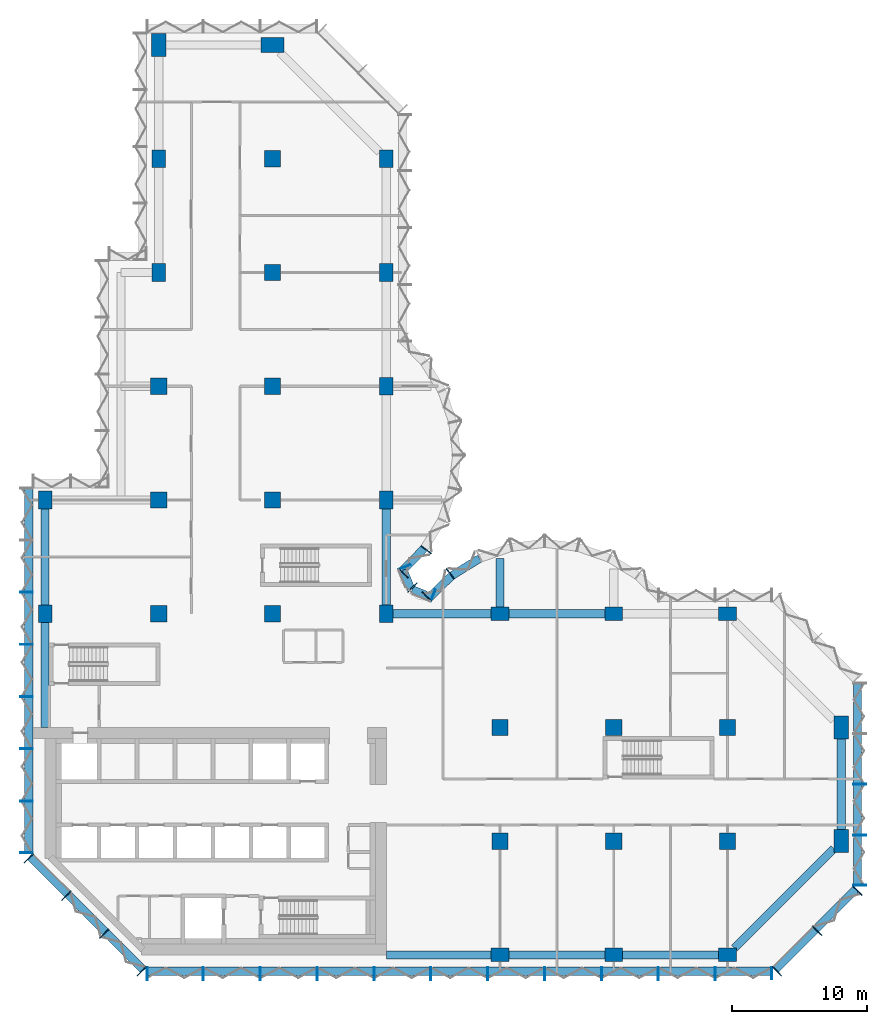
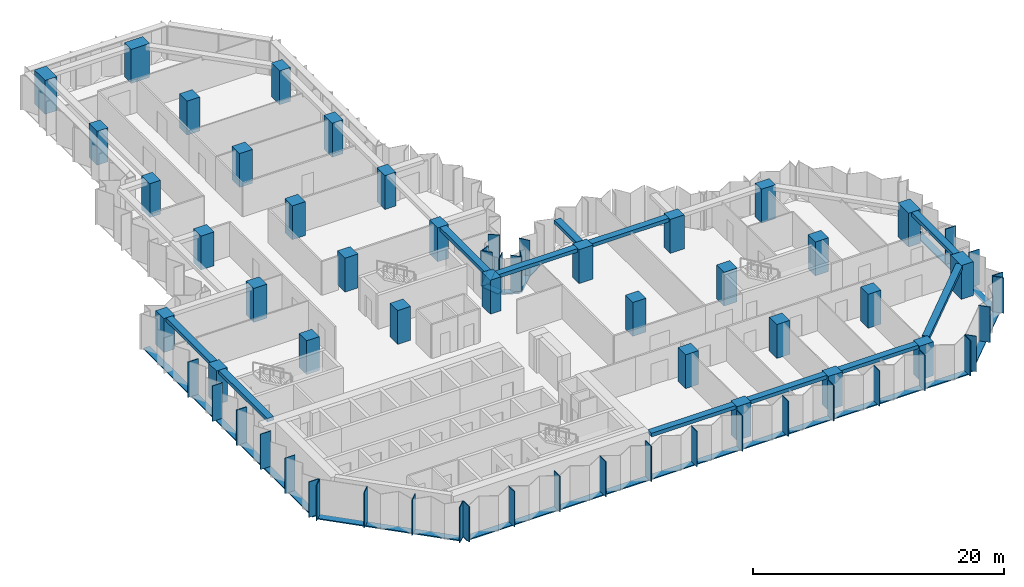
# One storey, part 1 of 11: 45 members, 33 columns, 11 beams, 8 elements without a shape of their own.
"""IFC4 building model written with IfcOpenShell, lengths in metres."""

from ifc_helpers import new_model, si_unit, direction, frame, origin, origin_2d, place, context, subcontext, project, spatial, rectangle, extrude, material, material_profile, profile_set, type_object, element, aggregate, save


model = new_model("IFC4")

# Units and contexts
model_context = context("Model", 3, precision=1e-05, world=origin(), true_north=direction((0.0, 1.0)))
body_context = subcontext(model_context, "Body", "Model", "MODEL_VIEW")
ifc_project = project(units=[si_unit("LENGTHUNIT", "METRE"), si_unit("AREAUNIT", "SQUARE_METRE"), si_unit("VOLUMEUNIT", "CUBIC_METRE"), si_unit("PLANEANGLEUNIT", "RADIAN"), si_unit("MASSUNIT", "GRAM", prefix="KILO")], contexts=[model_context])

# Site, building, storey
site_placement = place(None, origin())
site = spatial("IfcSite", under=ifc_project, at=site_placement, CompositionType="ELEMENT")
building_placement = place(site_placement, origin())
building = spatial("IfcBuilding", under=site, at=building_placement, Name="Brevane Broadcast Tower", CompositionType="ELEMENT")
storey_placement = place(building_placement, frame((0.0, 0.0, 152.89990234375)))
storey = spatial("IfcBuildingStorey", under=building, at=storey_placement, Name="L38", CompositionType="ELEMENT", Elevation=152.89990234375)

# Columns
ifc_material_1 = material(Name="Concrete C60/75", Category="concrete")
ifc_material_profile_1 = material_profile(ifc_material_1, rectangle(XDim=1.0, YDim=1.300048828125, at=origin_2d()), Name="RC 1000x1300")
ifc_profile_set_1 = profile_set([ifc_material_profile_1], Name="Concrete C60/75")
column_type_1 = type_object("IfcColumnType", Name="RC COLUMN EDGE 1000x1300 C60/75", PredefinedType="COLUMN", material=ifc_profile_set_1)
for number, where, z_axis, x_axis, name in (
    (1, (0.0, 25.199951171875, 0.0), (0.0, 0.0, 1.0), (1.0, 0.0, 0.0), "CE8 1/D"),
    (2, (0.0, 33.60009765625, 0.0), (0.0, 0.0, 1.0), (1.0, 0.0, 0.0), "CE8 1/E"),
    (3, (8.39990234375, 50.39990234375, 0.0), (0.0, 0.0, 1.0), (1.0, 0.0, 0.0), "CE8 2/G"),
    (4, (8.39990234375, 58.800048828125, 0.0), (0.0, 0.0, 1.0), (1.0, 0.0, 0.0), "CE8 2/H"),
    (5, (25.199951171875, 25.199951171875, 0.0), (0.0, 0.0, 1.0), (1.0, 0.0, 0.0), "CE8 4/D"),
    (6, (25.199951171875, 33.60009765625, 0.0), (0.0, 0.0, 1.0), (1.0, 0.0, 0.0), "CE8 4/E"),
    (7, (25.199951171875, 42.0, 0.0), (0.0, 0.0, 1.0), (1.0, 0.0, 0.0), "CE8 4/F"),
    (8, (25.199951171875, 50.39990234375, 0.0), (0.0, 0.0, 1.0), (1.0, 0.0, 0.0), "CE8 4/G"),
    (9, (25.199951171875, 58.800048828125, 0.0), (0.0, 0.0, 1.0), (1.0, 0.0, 0.0), "CE8 4/H"),
    (10, (33.60009765625, 0.0, 0.0), (0.0, 0.0, 1.0), (0.0, 1.0, 0.0), "CE8 5/A"),
    (11, (33.60009765625, 25.199951171875, 0.0), (0.0, 0.0, 1.0), (0.0, 1.0, 0.0), "CE8 5/D"),
    (12, (42.0, 0.0, 0.0), (0.0, 0.0, 1.0), (0.0, 1.0, 0.0), "CE8 6/A"),
    (13, (42.0, 25.199951171875, 0.0), (0.0, 0.0, 1.0), (0.0, 1.0, 0.0), "CE8 6/D"),
    (14, (50.39990234375, 0.0, 0.0), (0.0, 0.0, 1.0), (0.0, 1.0, 0.0), "CE8 7/A"),
    (15, (50.39990234375, 25.199951171875, 0.0), (0.0, 0.0, 1.0), (0.0, 1.0, 0.0), "CE8 7/D"),
):
    element("IfcColumn", number, at=place(storey_placement, frame(where, z_axis=z_axis, x_axis=x_axis)), inside=storey, type_object=column_type_1, Name=name, PredefinedType="COLUMN", context=body_context, shape_type="SweptSolid", body=[
        extrude(rectangle(XDim=1.0, YDim=1.300048828125, at=origin_2d()), origin(), (0.0, 0.0, 1.0), 3.300048828125),
    ])
ifc_material_profile_2 = material_profile(ifc_material_1, rectangle(XDim=1.199951171875, YDim=1.199951171875, at=origin_2d()), Name="RC 1200x1200")
ifc_profile_set_2 = profile_set([ifc_material_profile_2], Name="Concrete C60/75")
column_type_2 = type_object("IfcColumnType", Name="RC COLUMN INTERIOR 1200x1200 C60/75", PredefinedType="COLUMN", material=ifc_profile_set_2)
for number, where, z_axis, x_axis, name in (
    (16, (8.39990234375, 25.199951171875, 0.0), (0.0, 0.0, 1.0), (1.0, 0.0, 0.0), "CI9 2/D"),
    (17, (8.39990234375, 33.60009765625, 0.0), (0.0, 0.0, 1.0), (1.0, 0.0, 0.0), "CI9 2/E"),
    (18, (8.39990234375, 42.0, 0.0), (0.0, 0.0, 1.0), (1.0, 0.0, 0.0), "CI9 2/F"),
    (19, (16.800048828125, 25.199951171875, 0.0), (0.0, 0.0, 1.0), (1.0, 0.0, 0.0), "CI9 3/D"),
    (20, (16.800048828125, 33.60009765625, 0.0), (0.0, 0.0, 1.0), (1.0, 0.0, 0.0), "CI9 3/E"),
    (21, (16.800048828125, 42.0, 0.0), (0.0, 0.0, 1.0), (1.0, 0.0, 0.0), "CI9 3/F"),
    (22, (16.800048828125, 50.39990234375, 0.0), (0.0, 0.0, 1.0), (1.0, 0.0, 0.0), "CI9 3/G"),
    (23, (16.800048828125, 58.800048828125, 0.0), (0.0, 0.0, 1.0), (1.0, 0.0, 0.0), "CI9 3/H"),
    (24, (33.60009765625, 8.39990234375, 0.0), (0.0, 0.0, 1.0), (1.0, 0.0, 0.0), "CI9 5/B"),
    (25, (33.60009765625, 16.800048828125, 0.0), (0.0, 0.0, 1.0), (1.0, 0.0, 0.0), "CI9 5/C"),
    (26, (42.0, 8.39990234375, 0.0), (0.0, 0.0, 1.0), (1.0, 0.0, 0.0), "CI9 6/B"),
    (27, (42.0, 16.800048828125, 0.0), (0.0, 0.0, 1.0), (1.0, 0.0, 0.0), "CI9 6/C"),
    (28, (50.39990234375, 8.39990234375, 0.0), (0.0, 0.0, 1.0), (1.0, 0.0, 0.0), "CI9 7/B"),
    (29, (50.39990234375, 16.800048828125, 0.0), (0.0, 0.0, 1.0), (1.0, 0.0, 0.0), "CI9 7/C"),
):
    element("IfcColumn", number, at=place(storey_placement, frame(where, z_axis=z_axis, x_axis=x_axis)), inside=storey, type_object=column_type_2, Name=name, PredefinedType="COLUMN", context=body_context, shape_type="SweptSolid", body=[
        extrude(rectangle(XDim=1.199951171875, YDim=1.199951171875, at=origin_2d()), origin(), (0.0, 0.0, 1.0), 3.300048828125),
    ])
ifc_material_profile_3 = material_profile(ifc_material_1, rectangle(XDim=1.10009765625, YDim=1.699951171875, at=origin_2d()), Name="RC 1100x1700")
ifc_profile_set_3 = profile_set([ifc_material_profile_3], Name="Concrete C60/75")
column_type_3 = type_object("IfcColumnType", Name="RC COLUMN WING-END 1100x1700 C60/75", PredefinedType="COLUMN", material=ifc_profile_set_3)
for number, where, z_axis, x_axis, name in (
    (30, (8.39990234375, 67.199951171875, 0.0), (0.0, 0.0, 1.0), (1.0, 0.0, 0.0), "CW10 2/I"),
    (31, (16.800048828125, 67.199951171875, 0.0), (0.0, 0.0, 1.0), (0.0, 1.0, 0.0), "CW10 3/I"),
    (32, (58.800048828125, 8.39990234375, 0.0), (0.0, 0.0, 1.0), (1.0, 0.0, 0.0), "CW10 8/B"),
    (33, (58.800048828125, 16.800048828125, 0.0), (0.0, 0.0, 1.0), (1.0, 0.0, 0.0), "CW10 8/C"),
):
    element("IfcColumn", number, at=place(storey_placement, frame(where, z_axis=z_axis, x_axis=x_axis)), inside=storey, type_object=column_type_3, Name=name, PredefinedType="COLUMN", context=body_context, shape_type="SweptSolid", body=[
        extrude(rectangle(XDim=1.10009765625, YDim=1.699951171875, at=origin_2d()), origin(), (0.0, 0.0, 1.0), 3.300048828125),
    ])

# Curtain wall, members
ifc_material_2 = material(Name="Aluminium 6063-T6 bronze anodised", Category="aluminium")
curtain_wall_type = type_object("IfcCurtainWallType", Name="CW-1 curtain wall", PredefinedType="NOTDEFINED", material=ifc_material_2)
curtain_wall_1_placement = place(storey_placement, origin())
curtain_wall_1 = element("IfcCurtainWall", 34, at=curtain_wall_1_placement, inside=storey, type_object=curtain_wall_type, Name="CW-1 typical tilted unit L38 south face", PredefinedType="NOTDEFINED")
ifc_material_profile_4 = material_profile(ifc_material_2, rectangle(XDim=0.949951171875, YDim=0.070068359375, at=origin_2d()), Name="RECT 70x950")
ifc_profile_set_4 = profile_set([ifc_material_profile_4], Name="Aluminium 6063-T6 bronze anodised")
member_type_1 = type_object("IfcMemberType", Name="CW-1 mullion 70x950", PredefinedType="MULLION", material=ifc_profile_set_4)
member_1_placement = place(storey_placement, frame((7.534912109375, -1.375, -0.14990234375), z_axis=(0.0, 0.0, 1.0), x_axis=(0.0, 1.0, 0.0)))
member_1 = element("IfcMember", 35, at=member_1_placement, type_object=member_type_1, Name="CW-1 mullion", PredefinedType="MULLION", context=body_context, shape_type="SweptSolid", body=[
    extrude(rectangle(XDim=0.949951171875, YDim=0.070068359375, at=origin_2d()), origin(), (0.0, 0.0, 1.0), 3.449951171875),
])
member_2_placement = place(storey_placement, frame((11.699951171875, -1.375, -0.14990234375), z_axis=(0.0, 0.0, 1.0), x_axis=(0.0, 1.0, 0.0)))
member_2 = element("IfcMember", 36, at=member_2_placement, type_object=member_type_1, Name="CW-1 mullion", PredefinedType="MULLION", context=body_context, shape_type="SweptSolid", body=[
    extrude(rectangle(XDim=0.949951171875, YDim=0.070068359375, at=origin_2d()), origin(), (0.0, 0.0, 1.0), 3.449951171875),
])
member_3_placement = place(storey_placement, frame((15.89990234375, -1.375, -0.14990234375), z_axis=(0.0, 0.0, 1.0), x_axis=(0.0, 1.0, 0.0)))
member_3 = element("IfcMember", 37, at=member_3_placement, type_object=member_type_1, Name="CW-1 mullion", PredefinedType="MULLION", context=body_context, shape_type="SweptSolid", body=[
    extrude(rectangle(XDim=0.949951171875, YDim=0.070068359375, at=origin_2d()), origin(), (0.0, 0.0, 1.0), 3.449951171875),
])
member_4_placement = place(storey_placement, frame((20.10009765625, -1.375, -0.14990234375), z_axis=(0.0, 0.0, 1.0), x_axis=(0.0, 1.0, 0.0)))
member_4 = element("IfcMember", 38, at=member_4_placement, type_object=member_type_1, Name="CW-1 mullion", PredefinedType="MULLION", context=body_context, shape_type="SweptSolid", body=[
    extrude(rectangle(XDim=0.949951171875, YDim=0.070068359375, at=origin_2d()), origin(), (0.0, 0.0, 1.0), 3.449951171875),
])
member_5_placement = place(storey_placement, frame((24.300048828125, -1.375, -0.14990234375), z_axis=(0.0, 0.0, 1.0), x_axis=(0.0, 1.0, 0.0)))
member_5 = element("IfcMember", 39, at=member_5_placement, type_object=member_type_1, Name="CW-1 mullion", PredefinedType="MULLION", context=body_context, shape_type="SweptSolid", body=[
    extrude(rectangle(XDim=0.949951171875, YDim=0.070068359375, at=origin_2d()), origin(), (0.0, 0.0, 1.0), 3.449951171875),
])
member_6_placement = place(storey_placement, frame((28.5, -1.375, -0.14990234375), z_axis=(0.0, 0.0, 1.0), x_axis=(0.0, 1.0, 0.0)))
member_6 = element("IfcMember", 40, at=member_6_placement, type_object=member_type_1, Name="CW-1 mullion", PredefinedType="MULLION", context=body_context, shape_type="SweptSolid", body=[
    extrude(rectangle(XDim=0.949951171875, YDim=0.070068359375, at=origin_2d()), origin(), (0.0, 0.0, 1.0), 3.449951171875),
])
member_7_placement = place(storey_placement, frame((32.699951171875, -1.375, -0.14990234375), z_axis=(0.0, 0.0, 1.0), x_axis=(0.0, 1.0, 0.0)))
member_7 = element("IfcMember", 41, at=member_7_placement, type_object=member_type_1, Name="CW-1 mullion", PredefinedType="MULLION", context=body_context, shape_type="SweptSolid", body=[
    extrude(rectangle(XDim=0.949951171875, YDim=0.070068359375, at=origin_2d()), origin(), (0.0, 0.0, 1.0), 3.449951171875),
])
member_8_placement = place(storey_placement, frame((36.89990234375, -1.375, -0.14990234375), z_axis=(0.0, 0.0, 1.0), x_axis=(0.0, 1.0, 0.0)))
member_8 = element("IfcMember", 42, at=member_8_placement, type_object=member_type_1, Name="CW-1 mullion", PredefinedType="MULLION", context=body_context, shape_type="SweptSolid", body=[
    extrude(rectangle(XDim=0.949951171875, YDim=0.070068359375, at=origin_2d()), origin(), (0.0, 0.0, 1.0), 3.449951171875),
])
member_9_placement = place(storey_placement, frame((41.10009765625, -1.375, -0.14990234375), z_axis=(0.0, 0.0, 1.0), x_axis=(0.0, 1.0, 0.0)))
member_9 = element("IfcMember", 43, at=member_9_placement, type_object=member_type_1, Name="CW-1 mullion", PredefinedType="MULLION", context=body_context, shape_type="SweptSolid", body=[
    extrude(rectangle(XDim=0.949951171875, YDim=0.070068359375, at=origin_2d()), origin(), (0.0, 0.0, 1.0), 3.449951171875),
])
member_10_placement = place(storey_placement, frame((45.300048828125, -1.375, -0.14990234375), z_axis=(0.0, 0.0, 1.0), x_axis=(0.0, 1.0, 0.0)))
member_10 = element("IfcMember", 44, at=member_10_placement, type_object=member_type_1, Name="CW-1 mullion", PredefinedType="MULLION", context=body_context, shape_type="SweptSolid", body=[
    extrude(rectangle(XDim=0.949951171875, YDim=0.070068359375, at=origin_2d()), origin(), (0.0, 0.0, 1.0), 3.449951171875),
])
member_11_placement = place(storey_placement, frame((49.5, -1.375, -0.14990234375), z_axis=(0.0, 0.0, 1.0), x_axis=(0.0, 1.0, 0.0)))
member_11 = element("IfcMember", 45, at=member_11_placement, type_object=member_type_1, Name="CW-1 mullion", PredefinedType="MULLION", context=body_context, shape_type="SweptSolid", body=[
    extrude(rectangle(XDim=0.949951171875, YDim=0.070068359375, at=origin_2d()), origin(), (0.0, 0.0, 1.0), 3.449951171875),
])
member_12_placement = place(storey_placement, frame((53.6650390625, -1.375, -0.14990234375), z_axis=(0.0, 0.0, 1.0), x_axis=(0.0, 1.0, 0.0)))
member_12 = element("IfcMember", 46, at=member_12_placement, type_object=member_type_1, Name="CW-1 mullion", PredefinedType="MULLION", context=body_context, shape_type="SweptSolid", body=[
    extrude(rectangle(XDim=0.949951171875, YDim=0.070068359375, at=origin_2d()), origin(), (0.0, 0.0, 1.0), 3.449951171875),
])

curtain_wall_2_placement = place(storey_placement, origin())
curtain_wall_2 = element("IfcCurtainWall", 47, at=curtain_wall_2_placement, inside=storey, type_object=curtain_wall_type, Name="CW-1 typical tilted unit L38 south-east chamfer", PredefinedType="NOTDEFINED")
member_13_placement = place(storey_placement, frame((54.060546875, -1.211181640625, -0.14990234375), z_axis=(0.0, 0.0, 1.0), x_axis=(-0.707106781187, 0.707106781187, 0.0)))
member_13 = element("IfcMember", 48, at=member_13_placement, type_object=member_type_1, Name="CW-1 mullion", PredefinedType="MULLION", context=body_context, shape_type="SweptSolid", body=[
    extrude(rectangle(XDim=0.949951171875, YDim=0.070068359375, at=origin_2d()), origin(), (0.0, 0.0, 1.0), 3.449951171875),
])
member_14_placement = place(storey_placement, frame((57.035888671875, 1.76416015625, -0.14990234375), z_axis=(0.0, 0.0, 1.0), x_axis=(-0.707106781187, 0.707106781187, 0.0)))
member_14 = element("IfcMember", 49, at=member_14_placement, type_object=member_type_1, Name="CW-1 mullion", PredefinedType="MULLION", context=body_context, shape_type="SweptSolid", body=[
    extrude(rectangle(XDim=0.949951171875, YDim=0.070068359375, at=origin_2d()), origin(), (0.0, 0.0, 1.0), 3.449951171875),
])
member_15_placement = place(storey_placement, frame((60.01123046875, 4.7392578125, -0.14990234375), z_axis=(0.0, 0.0, 1.0), x_axis=(-0.707106781187, 0.707106781187, 0.0)))
member_15 = element("IfcMember", 50, at=member_15_placement, type_object=member_type_1, Name="CW-1 mullion", PredefinedType="MULLION", context=body_context, shape_type="SweptSolid", body=[
    extrude(rectangle(XDim=0.949951171875, YDim=0.070068359375, at=origin_2d()), origin(), (0.0, 0.0, 1.0), 3.449951171875),
])

curtain_wall_3_placement = place(storey_placement, origin())
curtain_wall_3 = element("IfcCurtainWall", 51, at=curtain_wall_3_placement, inside=storey, type_object=curtain_wall_type, Name="CW-1 typical tilted unit L38 east end", PredefinedType="NOTDEFINED")
member_16_placement = place(storey_placement, frame((60.175048828125, 5.135009765625, -0.14990234375), z_axis=(0.0, 0.0, 1.0), x_axis=(-1.0, 0.0, 0.0)))
member_16 = element("IfcMember", 52, at=member_16_placement, type_object=member_type_1, Name="CW-1 mullion", PredefinedType="MULLION", context=body_context, shape_type="SweptSolid", body=[
    extrude(rectangle(XDim=0.949951171875, YDim=0.070068359375, at=origin_2d()), origin(), (0.0, 0.0, 1.0), 3.449951171875),
])
member_17_placement = place(storey_placement, frame((60.175048828125, 8.85009765625, -0.14990234375), z_axis=(0.0, 0.0, 1.0), x_axis=(-1.0, 0.0, 0.0)))
member_17 = element("IfcMember", 53, at=member_17_placement, type_object=member_type_1, Name="CW-1 mullion", PredefinedType="MULLION", context=body_context, shape_type="SweptSolid", body=[
    extrude(rectangle(XDim=0.949951171875, YDim=0.070068359375, at=origin_2d()), origin(), (0.0, 0.0, 1.0), 3.449951171875),
])
member_18_placement = place(storey_placement, frame((60.175048828125, 12.60009765625, -0.14990234375), z_axis=(0.0, 0.0, 1.0), x_axis=(-1.0, 0.0, 0.0)))
member_18 = element("IfcMember", 54, at=member_18_placement, type_object=member_type_1, Name="CW-1 mullion", PredefinedType="MULLION", context=body_context, shape_type="SweptSolid", body=[
    extrude(rectangle(XDim=0.949951171875, YDim=0.070068359375, at=origin_2d()), origin(), (0.0, 0.0, 1.0), 3.449951171875),
])

curtain_wall_4_placement = place(storey_placement, origin())
curtain_wall_4 = element("IfcCurtainWall", 55, at=curtain_wall_4_placement, inside=storey, type_object=curtain_wall_type, Name="CW-1 typical tilted unit L38 east bow", PredefinedType="NOTDEFINED")
member_19_placement = place(storey_placement, frame((29.927978515625, 28.1455078125, -0.14990234375), z_axis=(0.0, 0.0, 1.0), x_axis=(0.614769738617, -0.788706642853, 0.0)))
member_19 = element("IfcMember", 56, at=member_19_placement, type_object=member_type_1, Name="CW-1 mullion", PredefinedType="MULLION", context=body_context, shape_type="SweptSolid", body=[
    extrude(rectangle(XDim=0.949951171875, YDim=0.070068359375, at=origin_2d()), origin(), (0.0, 0.0, 1.0), 3.449951171875),
])
member_20_placement = place(storey_placement, frame((28.194091796875, 26.465087890625, -0.14990234375), z_axis=(0.0, 0.0, 1.0), x_axis=(0.696811941702, -0.717253872699, 0.0)))
member_20 = element("IfcMember", 57, at=member_20_placement, type_object=member_type_1, Name="CW-1 mullion", PredefinedType="MULLION", context=body_context, shape_type="SweptSolid", body=[
    extrude(rectangle(XDim=0.949951171875, YDim=0.070068359375, at=origin_2d()), origin(), (0.0, 0.0, 1.0), 3.449951171875),
])

curtain_wall_5_placement = place(storey_placement, origin())
curtain_wall_5 = element("IfcCurtainWall", 58, at=curtain_wall_5_placement, inside=storey, type_object=curtain_wall_type, Name="CW-1 typical tilted unit L38 inner corner", PredefinedType="NOTDEFINED")
member_21_placement = place(storey_placement, frame((28.6494140625, 26.55224609375, -0.14990234375), z_axis=(0.0, 0.0, 1.0), x_axis=(-0.382683612978, -0.923879457699, 0.0)))
member_21 = element("IfcMember", 59, at=member_21_placement, type_object=member_type_1, Name="CW-1 mullion", PredefinedType="MULLION", context=body_context, shape_type="SweptSolid", body=[
    extrude(rectangle(XDim=0.949951171875, YDim=0.070068359375, at=origin_2d()), origin(), (0.0, 0.0, 1.0), 3.449951171875),
])
member_22_placement = place(storey_placement, frame((27.138916015625, 27.138916015625, -0.14990234375), z_axis=(0.0, 0.0, 1.0), x_axis=(-0.707106781187, -0.707106781187, 0.0)))
member_22 = element("IfcMember", 60, at=member_22_placement, type_object=member_type_1, Name="CW-1 mullion", PredefinedType="MULLION", context=body_context, shape_type="SweptSolid", body=[
    extrude(rectangle(XDim=0.949951171875, YDim=0.070068359375, at=origin_2d()), origin(), (0.0, 0.0, 1.0), 3.449951171875),
])
member_23_placement = place(storey_placement, frame((26.55224609375, 28.6494140625, -0.14990234375), z_axis=(0.0, 0.0, 1.0), x_axis=(-0.923879457699, -0.382683612978, 0.0)))
member_23 = element("IfcMember", 61, at=member_23_placement, type_object=member_type_1, Name="CW-1 mullion", PredefinedType="MULLION", context=body_context, shape_type="SweptSolid", body=[
    extrude(rectangle(XDim=0.949951171875, YDim=0.070068359375, at=origin_2d()), origin(), (0.0, 0.0, 1.0), 3.449951171875),
])

curtain_wall_6_placement = place(storey_placement, origin())
curtain_wall_6 = element("IfcCurtainWall", 62, at=curtain_wall_6_placement, inside=storey, type_object=curtain_wall_type, Name="CW-1 typical tilted unit L38 north bow", PredefinedType="NOTDEFINED")
member_24_placement = place(storey_placement, frame((26.465087890625, 28.194091796875, -0.14990234375), z_axis=(0.0, 0.0, 1.0), x_axis=(-0.717253872699, 0.696811941702, 0.0)))
member_24 = element("IfcMember", 63, at=member_24_placement, type_object=member_type_1, Name="CW-1 mullion", PredefinedType="MULLION", context=body_context, shape_type="SweptSolid", body=[
    extrude(rectangle(XDim=0.949951171875, YDim=0.070068359375, at=origin_2d()), origin(), (0.0, 0.0, 1.0), 3.449951171875),
])
member_25_placement = place(storey_placement, frame((28.1455078125, 29.927978515625, -0.14990234375), z_axis=(0.0, 0.0, 1.0), x_axis=(-0.788706642853, 0.614769738617, 0.0)))
member_25 = element("IfcMember", 64, at=member_25_placement, type_object=member_type_1, Name="CW-1 mullion", PredefinedType="MULLION", context=body_context, shape_type="SweptSolid", body=[
    extrude(rectangle(XDim=0.949951171875, YDim=0.070068359375, at=origin_2d()), origin(), (0.0, 0.0, 1.0), 3.449951171875),
])

curtain_wall_7_placement = place(storey_placement, origin())
curtain_wall_7 = element("IfcCurtainWall", 65, at=curtain_wall_7_placement, inside=storey, type_object=curtain_wall_type, Name="CW-1 typical tilted unit L38 west face", PredefinedType="NOTDEFINED")
member_26_placement = place(storey_placement, frame((-1.375, 26.78564453125, -0.14990234375), z_axis=(0.0, 0.0, 1.0), x_axis=(1.0, 0.0, 0.0)))
member_26 = element("IfcMember", 66, at=member_26_placement, type_object=member_type_1, Name="CW-1 mullion", PredefinedType="MULLION", context=body_context, shape_type="SweptSolid", body=[
    extrude(rectangle(XDim=0.949951171875, YDim=0.070068359375, at=origin_2d()), origin(), (0.0, 0.0, 1.0), 3.449951171875),
])
member_27_placement = place(storey_placement, frame((-1.375, 22.928466796875, -0.14990234375), z_axis=(0.0, 0.0, 1.0), x_axis=(1.0, 0.0, 0.0)))
member_27 = element("IfcMember", 67, at=member_27_placement, type_object=member_type_1, Name="CW-1 mullion", PredefinedType="MULLION", context=body_context, shape_type="SweptSolid", body=[
    extrude(rectangle(XDim=0.949951171875, YDim=0.070068359375, at=origin_2d()), origin(), (0.0, 0.0, 1.0), 3.449951171875),
])
member_28_placement = place(storey_placement, frame((-1.375, 19.071533203125, -0.14990234375), z_axis=(0.0, 0.0, 1.0), x_axis=(1.0, 0.0, 0.0)))
member_28 = element("IfcMember", 68, at=member_28_placement, type_object=member_type_1, Name="CW-1 mullion", PredefinedType="MULLION", context=body_context, shape_type="SweptSolid", body=[
    extrude(rectangle(XDim=0.949951171875, YDim=0.070068359375, at=origin_2d()), origin(), (0.0, 0.0, 1.0), 3.449951171875),
])
member_29_placement = place(storey_placement, frame((-1.375, 15.21435546875, -0.14990234375), z_axis=(0.0, 0.0, 1.0), x_axis=(1.0, 0.0, 0.0)))
member_29 = element("IfcMember", 69, at=member_29_placement, type_object=member_type_1, Name="CW-1 mullion", PredefinedType="MULLION", context=body_context, shape_type="SweptSolid", body=[
    extrude(rectangle(XDim=0.949951171875, YDim=0.070068359375, at=origin_2d()), origin(), (0.0, 0.0, 1.0), 3.449951171875),
])
member_30_placement = place(storey_placement, frame((-1.375, 11.357177734375, -0.14990234375), z_axis=(0.0, 0.0, 1.0), x_axis=(1.0, 0.0, 0.0)))
member_30 = element("IfcMember", 70, at=member_30_placement, type_object=member_type_1, Name="CW-1 mullion", PredefinedType="MULLION", context=body_context, shape_type="SweptSolid", body=[
    extrude(rectangle(XDim=0.949951171875, YDim=0.070068359375, at=origin_2d()), origin(), (0.0, 0.0, 1.0), 3.449951171875),
])
member_31_placement = place(storey_placement, frame((-1.375, 7.534912109375, -0.14990234375), z_axis=(0.0, 0.0, 1.0), x_axis=(1.0, 0.0, 0.0)))
member_31 = element("IfcMember", 71, at=member_31_placement, type_object=member_type_1, Name="CW-1 mullion", PredefinedType="MULLION", context=body_context, shape_type="SweptSolid", body=[
    extrude(rectangle(XDim=0.949951171875, YDim=0.070068359375, at=origin_2d()), origin(), (0.0, 0.0, 1.0), 3.449951171875),
])

curtain_wall_8_placement = place(storey_placement, origin())
curtain_wall_8 = element("IfcCurtainWall", 72, at=curtain_wall_8_placement, inside=storey, type_object=curtain_wall_type, Name="CW-1 typical tilted unit L38 south-west chamfer", PredefinedType="NOTDEFINED")
member_32_placement = place(storey_placement, frame((-1.211181640625, 7.139404296875, -0.14990234375), z_axis=(0.0, 0.0, 1.0), x_axis=(0.707106781187, 0.707106781187, 0.0)))
member_32 = element("IfcMember", 73, at=member_32_placement, type_object=member_type_1, Name="CW-1 mullion", PredefinedType="MULLION", context=body_context, shape_type="SweptSolid", body=[
    extrude(rectangle(XDim=0.949951171875, YDim=0.070068359375, at=origin_2d()), origin(), (0.0, 0.0, 1.0), 3.449951171875),
])
member_33_placement = place(storey_placement, frame((1.564208984375, 4.364013671875, -0.14990234375), z_axis=(0.0, 0.0, 1.0), x_axis=(0.707106781187, 0.707106781187, 0.0)))
member_33 = element("IfcMember", 74, at=member_33_placement, type_object=member_type_1, Name="CW-1 mullion", PredefinedType="MULLION", context=body_context, shape_type="SweptSolid", body=[
    extrude(rectangle(XDim=0.949951171875, YDim=0.070068359375, at=origin_2d()), origin(), (0.0, 0.0, 1.0), 3.449951171875),
])
member_34_placement = place(storey_placement, frame((4.364013671875, 1.564208984375, -0.14990234375), z_axis=(0.0, 0.0, 1.0), x_axis=(0.707106781187, 0.707106781187, 0.0)))
member_34 = element("IfcMember", 75, at=member_34_placement, type_object=member_type_1, Name="CW-1 mullion", PredefinedType="MULLION", context=body_context, shape_type="SweptSolid", body=[
    extrude(rectangle(XDim=0.949951171875, YDim=0.070068359375, at=origin_2d()), origin(), (0.0, 0.0, 1.0), 3.449951171875),
])
member_35_placement = place(storey_placement, frame((7.139404296875, -1.211181640625, -0.14990234375), z_axis=(0.0, 0.0, 1.0), x_axis=(0.707106781187, 0.707106781187, 0.0)))
member_35 = element("IfcMember", 76, at=member_35_placement, type_object=member_type_1, Name="CW-1 mullion", PredefinedType="MULLION", context=body_context, shape_type="SweptSolid", body=[
    extrude(rectangle(XDim=0.949951171875, YDim=0.070068359375, at=origin_2d()), origin(), (0.0, 0.0, 1.0), 3.449951171875),
])

# Member
ifc_material_profile_5 = material_profile(ifc_material_2, rectangle(XDim=0.60009765625, YDim=0.10009765625, at=origin_2d()), Name="RECT 100x600")
ifc_profile_set_5 = profile_set([ifc_material_profile_5], Name="Aluminium 6063-T6 bronze anodised")
member_type_2 = type_object("IfcMemberType", Name="CW-1 transom 100x600", PredefinedType="USERDEFINED", material=ifc_profile_set_5)
member_36_placement = place(storey_placement, frame((7.5, -1.199951171875, -0.199951171875), z_axis=(1.0, 0.0, 0.0), x_axis=(0.0, 1.0, 0.0)))
member_36 = element("IfcMember", 77, at=member_36_placement, type_object=member_type_2, Name="CW-1 transom", ObjectType="TRANSOM", PredefinedType="USERDEFINED", context=body_context, shape_type="SweptSolid", body=[
    extrude(rectangle(XDim=0.60009765625, YDim=0.10009765625, at=origin_2d()), origin(), (0.0, 0.0, 1.0), 46.199951171875),
])

aggregate(curtain_wall_1, [member_1, member_2, member_3, member_4, member_5, member_6, member_7, member_8, member_9, member_10, member_11, member_12, member_36])

member_37_placement = place(storey_placement, frame((53.912109375, -1.112060546875, -0.199951171875), z_axis=(0.707106781187, 0.707106781187, 0.0), x_axis=(-0.707106781187, 0.707106781187, 0.0)))
member_37 = element("IfcMember", 78, at=member_37_placement, type_object=member_type_2, Name="CW-1 transom", ObjectType="TRANSOM", PredefinedType="USERDEFINED", context=body_context, shape_type="SweptSolid", body=[
    extrude(rectangle(XDim=0.60009765625, YDim=0.10009765625, at=origin_2d()), origin(), (0.0, 0.0, 1.0), 8.4853515625),
])

aggregate(curtain_wall_2, [member_13, member_14, member_15, member_37])

member_38_placement = place(storey_placement, frame((60.0, 5.10009765625, -0.199951171875), z_axis=(0.0, 1.0, 0.0), x_axis=(-1.0, 0.0, 0.0)))
member_38 = element("IfcMember", 79, at=member_38_placement, type_object=member_type_2, Name="CW-1 transom", ObjectType="TRANSOM", PredefinedType="USERDEFINED", context=body_context, shape_type="SweptSolid", body=[
    extrude(rectangle(XDim=0.60009765625, YDim=0.10009765625, at=origin_2d()), origin(), (0.0, 0.0, 1.0), 15.0),
])

aggregate(curtain_wall_3, [member_16, member_17, member_18, member_38])

member_39_placement = place(storey_placement, frame((32.09521484375, 29.281494140625, -0.199951171875), z_axis=(-0.850838211365, -0.525427766759, 0.0), x_axis=(0.525427766759, -0.850838211365, 0.0)))
member_39 = element("IfcMember", 80, at=member_39_placement, type_object=member_type_2, Name="CW-1 transom", ObjectType="TRANSOM", PredefinedType="USERDEFINED", context=body_context, shape_type="SweptSolid", body=[
    extrude(rectangle(XDim=0.60009765625, YDim=0.10009765625, at=origin_2d()), origin(), (0.0, 0.0, 1.0), 2.394775390625),
])

member_40_placement = place(storey_placement, frame((29.99951171875, 27.974365234375, -0.199951171875), z_axis=(-0.71724215871, -0.696823999134, 0.0), x_axis=(0.696823999134, -0.71724215871, 0.0)))
member_40 = element("IfcMember", 81, at=member_40_placement, type_object=member_type_2, Name="CW-1 transom", ObjectType="TRANSOM", PredefinedType="USERDEFINED", context=body_context, shape_type="SweptSolid", body=[
    extrude(rectangle(XDim=0.60009765625, YDim=0.10009765625, at=origin_2d()), origin(), (0.0, 0.0, 1.0), 2.247802734375),
])

aggregate(curtain_wall_4, [member_19, member_20, member_39, member_40])

member_41_placement = place(storey_placement, frame((28.528076171875, 26.40673828125, -0.199951171875), z_axis=(-0.923883243627, 0.382674472816, 0.0), x_axis=(-0.382674472816, -0.923883243627, 0.0)))
member_41 = element("IfcMember", 82, at=member_41_placement, type_object=member_type_2, Name="CW-1 transom", ObjectType="TRANSOM", PredefinedType="USERDEFINED", context=body_context, shape_type="SweptSolid", body=[
    extrude(rectangle(XDim=0.60009765625, YDim=0.10009765625, at=origin_2d()), origin(), (0.0, 0.0, 1.0), 1.536865234375),
])

member_42_placement = place(storey_placement, frame((27.039794921875, 27.0, -0.199951171875), z_axis=(-0.382674472816, 0.923883243627, 0.0), x_axis=(-0.923883243627, -0.382674472816, 0.0)))
member_42 = element("IfcMember", 83, at=member_42_placement, type_object=member_type_2, Name="CW-1 transom", ObjectType="TRANSOM", PredefinedType="USERDEFINED", context=body_context, shape_type="SweptSolid", body=[
    extrude(rectangle(XDim=0.60009765625, YDim=0.10009765625, at=origin_2d()), origin(), (0.0, 0.0, 1.0), 1.536865234375),
])

aggregate(curtain_wall_5, [member_21, member_22, member_23, member_41, member_42])

member_43_placement = place(storey_placement, frame((26.407958984375, 28.38720703125, -0.199951171875), z_axis=(0.696823999134, 0.71724215871, 0.0), x_axis=(-0.71724215871, 0.696823999134, 0.0)))
member_43 = element("IfcMember", 84, at=member_43_placement, type_object=member_type_2, Name="CW-1 transom", ObjectType="TRANSOM", PredefinedType="USERDEFINED", context=body_context, shape_type="SweptSolid", body=[
    extrude(rectangle(XDim=0.60009765625, YDim=0.10009765625, at=origin_2d()), origin(), (0.0, 0.0, 1.0), 2.247802734375),
])

aggregate(curtain_wall_6, [member_24, member_25, member_43])

member_44_placement = place(storey_placement, frame((-1.199951171875, 34.5, -0.199951171875), z_axis=(0.0, -1.0, 0.0), x_axis=(1.0, 0.0, 0.0)))
member_44 = element("IfcMember", 85, at=member_44_placement, type_object=member_type_2, Name="CW-1 transom", ObjectType="TRANSOM", PredefinedType="USERDEFINED", context=body_context, shape_type="SweptSolid", body=[
    extrude(rectangle(XDim=0.60009765625, YDim=0.10009765625, at=origin_2d()), origin(), (0.0, 0.0, 1.0), 27.0),
])

aggregate(curtain_wall_7, [member_26, member_27, member_28, member_29, member_30, member_31, member_44])

member_45_placement = place(storey_placement, frame((-1.112060546875, 7.287841796875, -0.199951171875), z_axis=(0.707106781187, -0.707106781187, 0.0), x_axis=(0.707106781187, 0.707106781187, 0.0)))
member_45 = element("IfcMember", 86, at=member_45_placement, type_object=member_type_2, Name="CW-1 transom", ObjectType="TRANSOM", PredefinedType="USERDEFINED", context=body_context, shape_type="SweptSolid", body=[
    extrude(rectangle(XDim=0.60009765625, YDim=0.10009765625, at=origin_2d()), origin(), (0.0, 0.0, 1.0), 11.879150390625),
])

aggregate(curtain_wall_8, [member_32, member_33, member_34, member_35, member_45])

# Beams
ifc_material_3 = material(Name="Concrete C40/50", Category="concrete")
ifc_material_profile_6 = material_profile(ifc_material_3, rectangle(XDim=0.60009765625, YDim=0.35009765625, at=origin_2d()), Name="RC 600x350")
ifc_profile_set_6 = profile_set([ifc_material_profile_6], Name="Concrete C40/50")
beam_type_1 = type_object("IfcBeamType", Name="RC BRACKET BEAM 600x350 C40/50", PredefinedType="BEAM", material=ifc_profile_set_6)
beam_1_placement = place(storey_placement, frame((33.60009765625, 25.699951171875, 3.125), z_axis=(0.0, 1.0, 0.0), x_axis=(-1.0, 0.0, 0.0)))
element("IfcBeam", 87, at=beam_1_placement, inside=storey, type_object=beam_type_1, Name="EB2 L38-3", PredefinedType="BEAM", context=body_context, shape_type="SweptSolid", body=[
    extrude(rectangle(XDim=0.60009765625, YDim=0.35009765625, at=origin_2d()), origin(), (0.0, 0.0, 1.0), 3.56201171875),
])
ifc_material_profile_7 = material_profile(ifc_material_3, rectangle(XDim=0.60009765625, YDim=0.35009765625, at=origin_2d()), Name="RC 600x350")
ifc_profile_set_7 = profile_set([ifc_material_profile_7], Name="Concrete C40/50")
beam_type_2 = type_object("IfcBeamType", Name="RC SPANDREL BEAM 600x350 C40/50", PredefinedType="SPANDREL", material=ifc_profile_set_7)
beam_2_placement = place(storey_placement, frame((25.199951171875, 0.0, 3.125), z_axis=(1.0, 0.0, 0.0), x_axis=(0.0, 1.0, 0.0)))
element("IfcBeam", 88, at=beam_2_placement, inside=storey, type_object=beam_type_2, Name="EB1 L38-1", PredefinedType="SPANDREL", context=body_context, shape_type="SweptSolid", body=[
    extrude(rectangle(XDim=0.60009765625, YDim=0.35009765625, at=origin_2d()), origin(), (0.0, 0.0, 1.0), 7.75),
])
for number, where, z_axis, x_axis, name in (
    (89, (34.25, 0.0, 3.125), (1.0, 0.0, 0.0), (0.0, 1.0, 0.0), "EB1 L38-2"),
    (90, (42.64990234375, 0.0, 3.125), (1.0, 0.0, 0.0), (0.0, 1.0, 0.0), "EB1 L38-3"),
):
    element("IfcBeam", number, at=place(storey_placement, frame(where, z_axis=z_axis, x_axis=x_axis)), inside=storey, type_object=beam_type_2, Name=name, PredefinedType="SPANDREL", context=body_context, shape_type="SweptSolid", body=[
        extrude(rectangle(XDim=0.60009765625, YDim=0.35009765625, at=origin_2d()), origin(), (0.0, 0.0, 1.0), 7.10009765625),
    ])
beam_3_placement = place(storey_placement, frame((50.89990234375, 0.5, 3.125), z_axis=(0.707106781187, 0.707106781187, 0.0), x_axis=(-0.707106781187, 0.707106781187, 0.0)))
element("IfcBeam", 91, at=beam_3_placement, inside=storey, type_object=beam_type_2, Name="EB1 L38-4", PredefinedType="SPANDREL", context=body_context, shape_type="SweptSolid", body=[
    extrude(rectangle(XDim=0.60009765625, YDim=0.35009765625, at=origin_2d()), origin(), (0.0, 0.0, 1.0), 10.39453125),
])
beam_4_placement = place(storey_placement, frame((58.800048828125, 9.25, 3.125), z_axis=(0.0, 1.0, 0.0), x_axis=(-1.0, 0.0, 0.0)))
element("IfcBeam", 92, at=beam_4_placement, inside=storey, type_object=beam_type_2, Name="EB1 L38-5", PredefinedType="SPANDREL", context=body_context, shape_type="SweptSolid", body=[
    extrude(rectangle(XDim=0.60009765625, YDim=0.35009765625, at=origin_2d()), origin(), (0.0, 0.0, 1.0), 6.699951171875),
])
beam_5_placement = place(storey_placement, frame((41.35009765625, 25.199951171875, 3.125), z_axis=(-1.0, 0.0, 0.0), x_axis=(0.0, -1.0, 0.0)))
element("IfcBeam", 93, at=beam_5_placement, inside=storey, type_object=beam_type_2, Name="EB1 L38-8", PredefinedType="SPANDREL", context=body_context, shape_type="SweptSolid", body=[
    extrude(rectangle(XDim=0.60009765625, YDim=0.35009765625, at=origin_2d()), origin(), (0.0, 0.0, 1.0), 7.10009765625),
])
beam_6_placement = place(storey_placement, frame((32.949951171875, 25.199951171875, 3.125), z_axis=(-1.0, 0.0, 0.0), x_axis=(0.0, -1.0, 0.0)))
element("IfcBeam", 94, at=beam_6_placement, inside=storey, type_object=beam_type_2, Name="EB1 L38-9", PredefinedType="SPANDREL", context=body_context, shape_type="SweptSolid", body=[
    extrude(rectangle(XDim=0.60009765625, YDim=0.35009765625, at=origin_2d()), origin(), (0.0, 0.0, 1.0), 7.25),
])
for number, where, z_axis, x_axis, name in (
    (95, (25.199951171875, 25.85009765625, 3.125), (0.0, 1.0, 0.0), (-1.0, 0.0, 0.0), "EB1 L38-10"),
    (96, (0.0, 32.949951171875, 3.125), (0.0, -1.0, 0.0), (1.0, 0.0, 0.0), "EB1 L38-16"),
):
    element("IfcBeam", number, at=place(storey_placement, frame(where, z_axis=z_axis, x_axis=x_axis)), inside=storey, type_object=beam_type_2, Name=name, PredefinedType="SPANDREL", context=body_context, shape_type="SweptSolid", body=[
        extrude(rectangle(XDim=0.60009765625, YDim=0.35009765625, at=origin_2d()), origin(), (0.0, 0.0, 1.0), 7.099853515625),
    ])
beam_7_placement = place(storey_placement, frame((0.0, 24.550048828125, 3.125), z_axis=(0.0, -1.0, 0.0), x_axis=(1.0, 0.0, 0.0)))
element("IfcBeam", 97, at=beam_7_placement, inside=storey, type_object=beam_type_2, Name="EB1 L38-17", PredefinedType="SPANDREL", context=body_context, shape_type="SweptSolid", body=[
    extrude(rectangle(XDim=0.60009765625, YDim=0.35009765625, at=origin_2d()), origin(), (0.0, 0.0, 1.0), 7.75),
])

save(model, "model.ifc")
